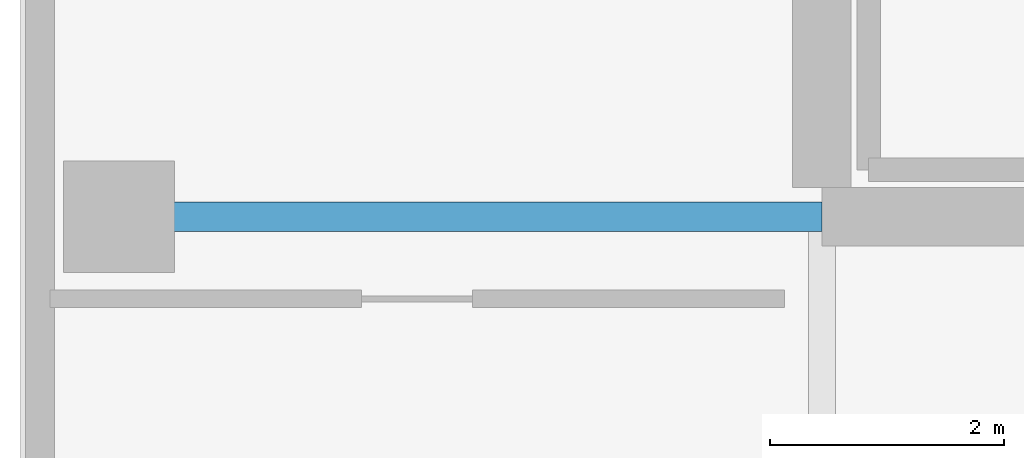
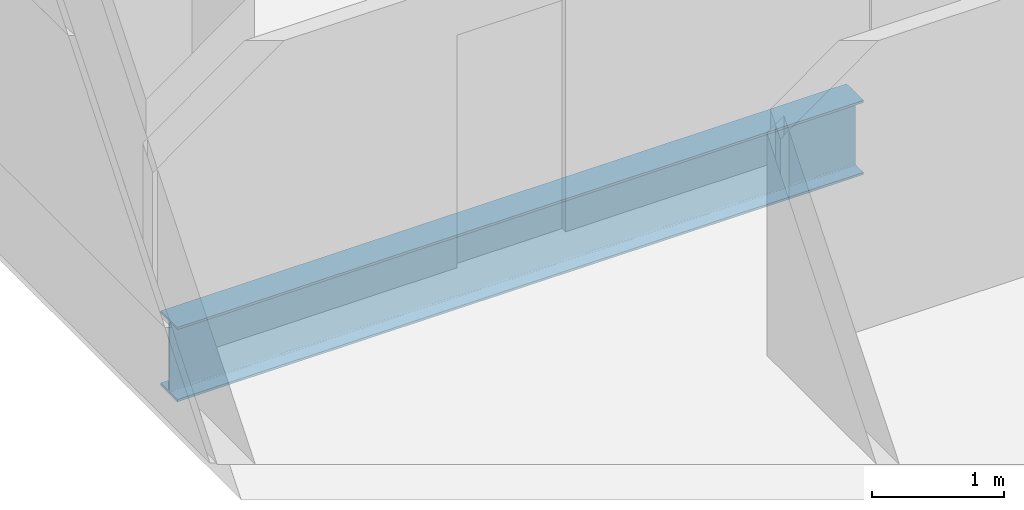
# One storey, part 4 of 39: 1 beam.
"""IFC4 building model written with IfcOpenShell, lengths in metres."""

from ifc_helpers import new_model, si_unit, direction, frame, origin, origin_2d, place, context, subcontext, project, spatial, i_section, extrude, material, material_profile, profile_set, type_object, element, save


model = new_model("IFC4")

# Units and contexts
model_context = context("Model", 3, precision=1e-05, world=origin(), true_north=direction((0.0, 1.0)))
body_context = subcontext(model_context, "Body", "Model", "MODEL_VIEW")
ifc_project = project(units=[si_unit("LENGTHUNIT", "METRE"), si_unit("AREAUNIT", "SQUARE_METRE"), si_unit("VOLUMEUNIT", "CUBIC_METRE"), si_unit("PLANEANGLEUNIT", "RADIAN"), si_unit("MASSUNIT", "GRAM", prefix="KILO")], contexts=[model_context])

# Site, building, storey
site_placement = place(None, origin())
site = spatial("IfcSite", under=ifc_project, at=site_placement, CompositionType="ELEMENT")
building_placement = place(site_placement, origin())
building = spatial("IfcBuilding", under=site, at=building_placement, Name="Tanjung Sevakor Pilgrim Tower", CompositionType="ELEMENT")
storey_placement = place(building_placement, frame((0.0, 0.0, 108.570068359375)))
storey = spatial("IfcBuildingStorey", under=building, at=storey_placement, Name="L30", CompositionType="ELEMENT", Elevation=108.570068359375)

# Beam
ifc_material = material(Name="Steel S355J2", Category="steel")
ifc_material_profile = material_profile(ifc_material, i_section(OverallWidth=0.25439453125, OverallDepth=0.6875, WebThickness=0.01318359375, FlangeThickness=0.02099609375, FilletRadius=0.01513671875, at=origin_2d()))
ifc_profile_set = profile_set([ifc_material_profile], Name="Steel S355J2")
beam_type = type_object("IfcBeamType", Name="BM-B-G2-UB_686x254x152", PredefinedType="BEAM", material=ifc_profile_set)
beam_placement = place(storey_placement, frame((18.0, 24.60009765625, -0.56396484375), z_axis=(1.0, 0.0, 0.0), x_axis=(0.0, 1.0, 0.0)))
element("IfcBeam", 1, at=beam_placement, inside=storey, type_object=beam_type, Name="L30 Primary Floor Girder MAIN Y246-01", PredefinedType="BEAM", context=body_context, shape_type="SweptSolid", body=[
    extrude(i_section(OverallWidth=0.25439453125, OverallDepth=0.6875, WebThickness=0.01318359375, FlangeThickness=0.02099609375, FilletRadius=0.01513671875, at=origin_2d()), origin(), (0.0, 0.0, 1.0), 6.0),
])

save(model, "model.ifc")
